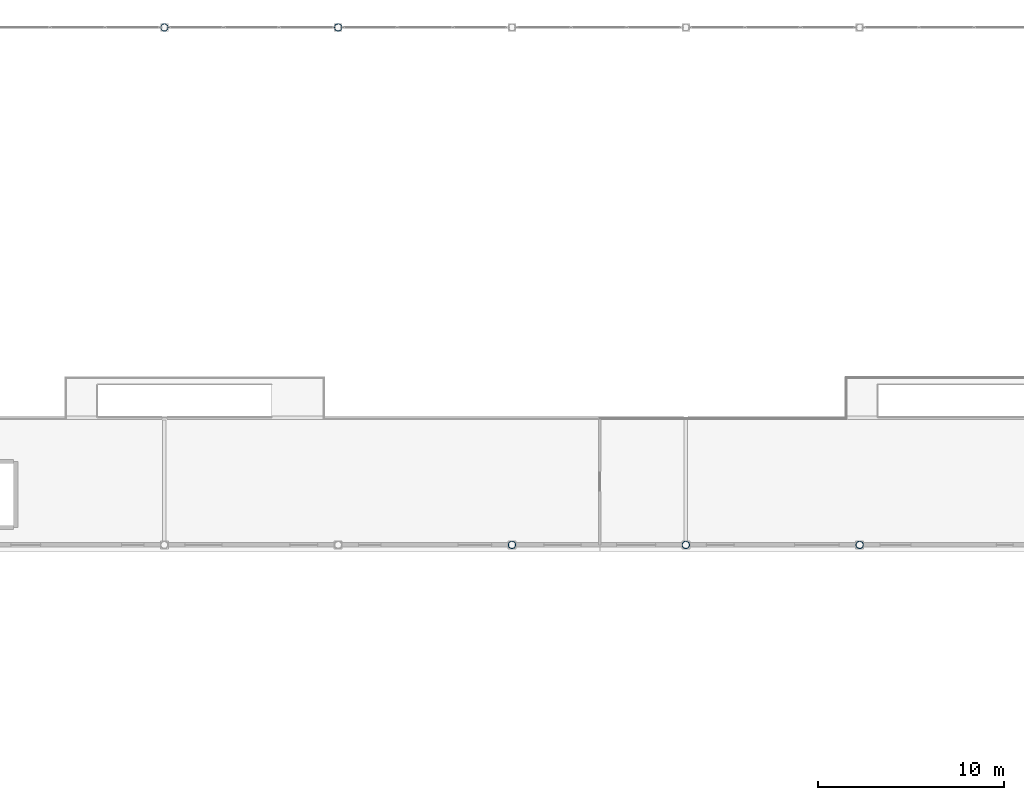
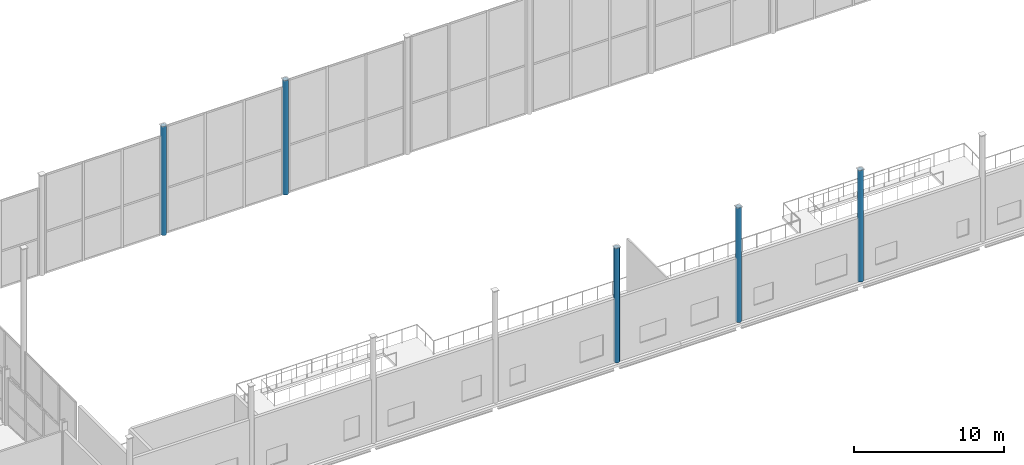
# One storey, part 6 of 77: 5 columns.
"""IFC4 building model written with IfcOpenShell, lengths in metres."""

from ifc_helpers import new_model, si_unit, direction, frame, origin, origin_2d, place, context, subcontext, project, spatial, hollow_circle, extrude, material, material_profile, profile_set, type_object, element, save


model = new_model("IFC4")

# Units and contexts
model_context = context("Model", 3, precision=1e-05, world=origin(), true_north=direction((0.0, 1.0)))
body_context = subcontext(model_context, "Body", "Model", "MODEL_VIEW")
ifc_project = project(units=[si_unit("LENGTHUNIT", "METRE"), si_unit("AREAUNIT", "SQUARE_METRE"), si_unit("VOLUMEUNIT", "CUBIC_METRE"), si_unit("PLANEANGLEUNIT", "RADIAN"), si_unit("MASSUNIT", "GRAM", prefix="KILO")], contexts=[model_context])

# Site, building, storey
site_placement = place(None, origin())
site = spatial("IfcSite", under=ifc_project, at=site_placement, CompositionType="ELEMENT")
building_placement = place(site_placement, origin())
building = spatial("IfcBuilding", under=site, at=building_placement, Name="Quillay Park Conservatory", CompositionType="ELEMENT")
storey_placement = place(building_placement, frame((0.0, 0.0, 5.39990234375)))
storey = spatial("IfcBuildingStorey", under=building, at=storey_placement, Name="L01", CompositionType="ELEMENT", Elevation=5.39990234375)

# Columns
ifc_material = material(Name="Steel S355J2H", Category="steel")
ifc_material_profile = material_profile(ifc_material, hollow_circle(Radius=0.203125, WallThickness=0.01611328125, at=origin_2d()), Name="CHS406.4x16")
ifc_profile_set = profile_set([ifc_material_profile], Name="Steel S355J2H")
column_type = type_object("IfcColumnType", Name="COMPOSITE STEEL COLUMN CHS406", PredefinedType="COLUMN", material=ifc_profile_set)
column_1_placement = place(storey_placement, frame((49.361083984375, 113.39990234375, 0.0), z_axis=(0.0, 0.0, 1.0), x_axis=(1.0, 0.0, 0.0)))
element("IfcColumn", 1, at=column_1_placement, inside=storey, type_object=column_type, Name="L01 column COL-V1-L01-2-1", PredefinedType="COLUMN", context=body_context, shape_type="SweptSolid", body=[
    extrude(hollow_circle(Radius=0.203125, WallThickness=0.01611328125, at=origin_2d()), origin(), (0.0, 0.0, 1.0), 8.837158203125),
])
column_2_placement = place(storey_placement, frame((58.716796875, 113.39990234375, 0.0), z_axis=(0.0, 0.0, 1.0), x_axis=(1.0, 0.0, 0.0)))
element("IfcColumn", 2, at=column_2_placement, inside=storey, type_object=column_type, Name="L01 column COL-V1-L01-3-1", PredefinedType="COLUMN", context=body_context, shape_type="SweptSolid", body=[
    extrude(hollow_circle(Radius=0.203125, WallThickness=0.01611328125, at=origin_2d()), origin(), (0.0, 0.0, 1.0), 9.302001953125),
])
for number, where, z_axis, x_axis, name in (
    (3, (68.072265625, 85.550048828125, 0.0), (0.0, 0.0, 1.0), (1.0, 0.0, 0.0), "L01 column COL-V1-L01-4-0"),
    (4, (77.427734375, 85.550048828125, 0.0), (0.0, 0.0, 1.0), (1.0, 0.0, 0.0), "L01 column COL-V1-L01-5-0"),
):
    element("IfcColumn", number, at=place(storey_placement, frame(where, z_axis=z_axis, x_axis=x_axis)), inside=storey, type_object=column_type, Name=name, PredefinedType="COLUMN", context=body_context, shape_type="SweptSolid", body=[
        extrude(hollow_circle(Radius=0.203125, WallThickness=0.01611328125, at=origin_2d()), origin(), (0.0, 0.0, 1.0), 9.298095703125),
    ])
column_3_placement = place(storey_placement, frame((86.783203125, 85.550048828125, 0.0), z_axis=(0.0, 0.0, 1.0), x_axis=(1.0, 0.0, 0.0)))
element("IfcColumn", 5, at=column_3_placement, inside=storey, type_object=column_type, Name="L01 column COL-V1-L01-6-0", PredefinedType="COLUMN", context=body_context, shape_type="SweptSolid", body=[
    extrude(hollow_circle(Radius=0.203125, WallThickness=0.01611328125, at=origin_2d()), origin(), (0.0, 0.0, 1.0), 9.063720703125),
])

save(model, "model.ifc")
